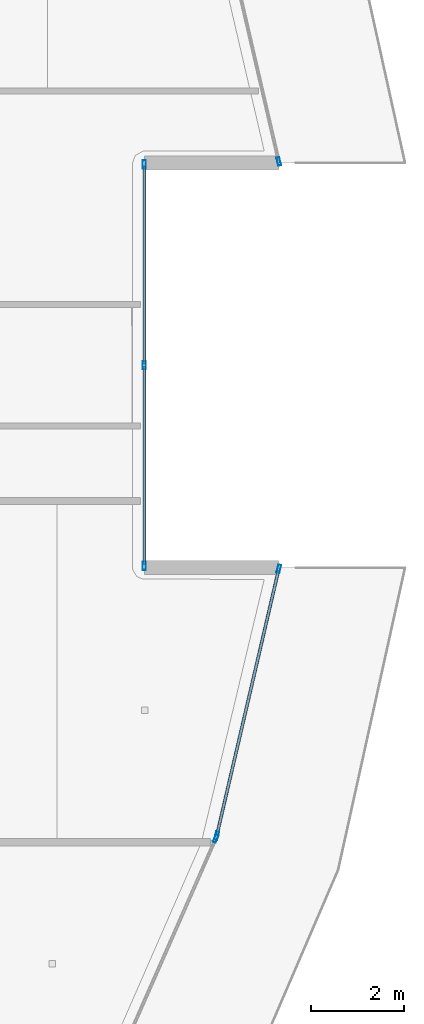
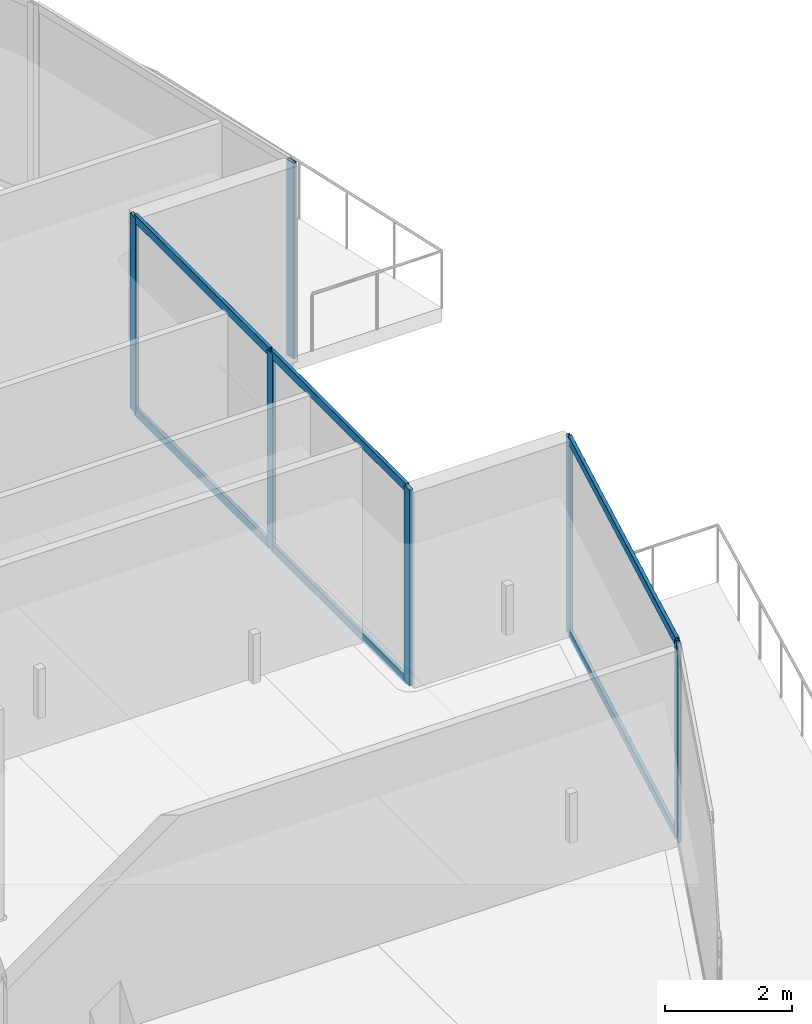
# One storey, part 12 of 33: 13 members, 4 elements without a shape of their own.
"""IFC4 building model written with IfcOpenShell, lengths in metres."""

from ifc_helpers import new_model, si_unit, direction, frame, origin, origin_2d, place, context, subcontext, project, spatial, hollow_rectangle, extrude, material, layer, layer_set, material_profile, profile_set, type_object, element, aggregate, save


model = new_model("IFC4")

# Units and contexts
model_context = context("Model", 3, precision=1e-05, world=origin(), true_north=direction((0.0, 1.0)))
body_context = subcontext(model_context, "Body", "Model", "MODEL_VIEW")
ifc_project = project(units=[si_unit("LENGTHUNIT", "METRE"), si_unit("AREAUNIT", "SQUARE_METRE"), si_unit("VOLUMEUNIT", "CUBIC_METRE"), si_unit("PLANEANGLEUNIT", "RADIAN"), si_unit("MASSUNIT", "GRAM", prefix="KILO")], contexts=[model_context])

# Site, building, storey
site_placement = place(None, origin())
site = spatial("IfcSite", under=ifc_project, at=site_placement, CompositionType="ELEMENT")
building_placement = place(site_placement, origin())
building = spatial("IfcBuilding", under=site, at=building_placement, Name="Qorvath Tower", CompositionType="ELEMENT")
storey_placement = place(building_placement, frame((0.0, 0.0, 209.10009765625)))
storey = spatial("IfcBuildingStorey", under=building, at=storey_placement, Name="L48", CompositionType="ELEMENT", Elevation=209.10009765625)

# Curtain wall, member
ifc_material_1 = material(Name="Anodised aluminium and triple low-E glass", Category="aluminium")
ifc_layer = layer(ifc_material_1, 0.179931640625)
ifc_layer_set = layer_set([ifc_layer], Name="CW-SYS-3")
curtain_wall_type = type_object("IfcCurtainWallType", Name="CW-SYS-3", PredefinedType="NOTDEFINED", material=ifc_layer_set)
curtain_wall_1_placement = place(storey_placement, origin())
curtain_wall_1 = element("IfcCurtainWall", 1, at=curtain_wall_1_placement, inside=storey, type_object=curtain_wall_type, Name="Curtain Wall CW-3 CW-T-L48-6.1", PredefinedType="NOTDEFINED")
ifc_material_2 = material(Name="Anodised aluminium 6063-T6", Category="aluminium")
ifc_material_profile_1 = material_profile(ifc_material_2, hollow_rectangle(XDim=0.06494140625, YDim=0.179931640625, WallThickness=0.00341796875, InnerFilletRadius=0.00341796875, OuterFilletRadius=0.007080078125, at=origin_2d()), Name="CWM 180x65")
ifc_profile_set_1 = profile_set([ifc_material_profile_1], Name="Anodised aluminium 6063-T6")
member_type_1 = type_object("IfcMemberType", Name="CWM-180", PredefinedType="MULLION", material=ifc_profile_set_1)
member_1_placement = place(storey_placement, frame((-0.771484375, -10.19921875, 0.0), z_axis=(0.0, 0.0, 1.0), x_axis=(-0.91538099818, 0.40258865877, 0.0)))
member_1 = element("IfcMember", 2, at=member_1_placement, type_object=member_type_1, Name="CW-3 mullion 2", PredefinedType="MULLION", context=body_context, shape_type="SweptSolid", body=[
    extrude(hollow_rectangle(XDim=0.06494140625, YDim=0.179931640625, WallThickness=0.00341796875, InnerFilletRadius=0.00341796875, OuterFilletRadius=0.007080078125, at=origin_2d()), origin(), (0.0, 0.0, 1.0), 3.77978515625),
])
aggregate(curtain_wall_1, [member_1])

# Curtain wall, members
curtain_wall_2_placement = place(storey_placement, origin())
curtain_wall_2 = element("IfcCurtainWall", 3, at=curtain_wall_2_placement, inside=storey, type_object=curtain_wall_type, Name="Curtain Wall CW-3 CW-T-L48-7.1", PredefinedType="NOTDEFINED")
member_2_placement = place(storey_placement, frame((-0.7509765625, -10.1376953125, 0.0), z_axis=(0.0, 0.0, 1.0), x_axis=(-0.973971468764, 0.226670637786, 0.0)))
member_2 = element("IfcMember", 4, at=member_2_placement, type_object=member_type_1, Name="CW-3 mullion 1", PredefinedType="MULLION", context=body_context, shape_type="SweptSolid", body=[
    extrude(hollow_rectangle(XDim=0.06494140625, YDim=0.179931640625, WallThickness=0.00341796875, InnerFilletRadius=0.00341796875, OuterFilletRadius=0.007080078125, at=origin_2d()), origin(), (0.0, 0.0, 1.0), 3.77978515625),
])
member_3_placement = place(storey_placement, frame((0.5869140625, -4.3896484375, 0.0), z_axis=(0.0, 0.0, 1.0), x_axis=(-0.973971468764, 0.226670637786, 0.0)))
member_3 = element("IfcMember", 5, at=member_3_placement, type_object=member_type_1, Name="CW-3 mullion 2", PredefinedType="MULLION", context=body_context, shape_type="SweptSolid", body=[
    extrude(hollow_rectangle(XDim=0.06494140625, YDim=0.179931640625, WallThickness=0.00341796875, InnerFilletRadius=0.00341796875, OuterFilletRadius=0.007080078125, at=origin_2d()), origin(), (0.0, 0.0, 1.0), 3.77978515625),
])

curtain_wall_3_placement = place(storey_placement, origin())
curtain_wall_3 = element("IfcCurtainWall", 6, at=curtain_wall_3_placement, inside=storey, type_object=curtain_wall_type, Name="Curtain Wall CW-3 CW-T-L48-9.1", PredefinedType="NOTDEFINED")
member_4_placement = place(storey_placement, frame((-2.310791015625, -4.325439453125, 0.0), z_axis=(0.0, 0.0, 1.0), x_axis=(-1.0, 0.0, 0.0)))
member_4 = element("IfcMember", 7, at=member_4_placement, type_object=member_type_1, Name="CW-3 mullion 1", PredefinedType="MULLION", context=body_context, shape_type="SweptSolid", body=[
    extrude(hollow_rectangle(XDim=0.06494140625, YDim=0.179931640625, WallThickness=0.00341796875, InnerFilletRadius=0.00341796875, OuterFilletRadius=0.007080078125, at=origin_2d()), origin(), (0.0, 0.0, 1.0), 3.77978515625),
])
member_5_placement = place(storey_placement, frame((-2.310791015625, 0.0, 0.0), z_axis=(0.0, 0.0, 1.0), x_axis=(-1.0, 0.0, 0.0)))
member_5 = element("IfcMember", 8, at=member_5_placement, type_object=member_type_1, Name="CW-3 mullion 2", PredefinedType="MULLION", context=body_context, shape_type="SweptSolid", body=[
    extrude(hollow_rectangle(XDim=0.06494140625, YDim=0.179931640625, WallThickness=0.00341796875, InnerFilletRadius=0.00341796875, OuterFilletRadius=0.007080078125, at=origin_2d()), origin(), (0.0, 0.0, 1.0), 3.77978515625),
])
member_6_placement = place(storey_placement, frame((-2.310791015625, 4.325439453125, 0.0), z_axis=(0.0, 0.0, 1.0), x_axis=(-1.0, 0.0, 0.0)))
member_6 = element("IfcMember", 9, at=member_6_placement, type_object=member_type_1, Name="CW-3 mullion 3", PredefinedType="MULLION", context=body_context, shape_type="SweptSolid", body=[
    extrude(hollow_rectangle(XDim=0.06494140625, YDim=0.179931640625, WallThickness=0.00341796875, InnerFilletRadius=0.00341796875, OuterFilletRadius=0.007080078125, at=origin_2d()), origin(), (0.0, 0.0, 1.0), 3.77978515625),
])

# Curtain wall, member
curtain_wall_4_placement = place(storey_placement, origin())
curtain_wall_4 = element("IfcCurtainWall", 10, at=curtain_wall_4_placement, inside=storey, type_object=curtain_wall_type, Name="Curtain Wall CW-3 CW-T-L48-11.1", PredefinedType="NOTDEFINED")
member_7_placement = place(storey_placement, frame((0.5869140625, 4.3896484375, 0.0), z_axis=(0.0, 0.0, 1.0), x_axis=(-0.973971468764, -0.226670637786, 0.0)))
member_7 = element("IfcMember", 11, at=member_7_placement, type_object=member_type_1, Name="CW-3 mullion 1", PredefinedType="MULLION", context=body_context, shape_type="SweptSolid", body=[
    extrude(hollow_rectangle(XDim=0.06494140625, YDim=0.179931640625, WallThickness=0.00341796875, InnerFilletRadius=0.00341796875, OuterFilletRadius=0.007080078125, at=origin_2d()), origin(), (0.0, 0.0, 1.0), 3.77978515625),
])
aggregate(curtain_wall_4, [member_7])

# Member
ifc_material_3 = material(Name="Anodised aluminium 6063-T6", Category="aluminium")
ifc_material_profile_2 = material_profile(ifc_material_3, hollow_rectangle(XDim=0.06494140625, YDim=0.159912109375, WallThickness=0.00341796875, InnerFilletRadius=0.00341796875, OuterFilletRadius=0.007080078125, at=origin_2d()), Name="CWT 160x65")
ifc_profile_set_2 = profile_set([ifc_material_profile_2], Name="Anodised aluminium 6063-T6")
member_type_2 = type_object("IfcMemberType", Name="CWT-160", PredefinedType="USERDEFINED", material=ifc_profile_set_2)
member_8_placement = place(storey_placement, frame((-0.74365234375, -10.106201171875, 0.032470703125), z_axis=(0.226658372303, 0.973974323206, 0.0), x_axis=(-0.973974323206, 0.226658372303, 0.0)))
member_8 = element("IfcMember", 12, at=member_8_placement, type_object=member_type_2, Name="CW-3 transom 1.1", ObjectType="TRANSOM", PredefinedType="USERDEFINED", context=body_context, shape_type="SweptSolid", body=[
    extrude(hollow_rectangle(XDim=0.06494140625, YDim=0.159912109375, WallThickness=0.00341796875, InnerFilletRadius=0.00341796875, OuterFilletRadius=0.007080078125, at=origin_2d()), origin(), (0.0, 0.0, 1.0), 5.8369140625),
])

member_9_placement = place(storey_placement, frame((-0.74365234375, -10.106201171875, 3.747314453125), z_axis=(0.226658372303, 0.973974323206, 0.0), x_axis=(-0.973974323206, 0.226658372303, 0.0)))
member_9 = element("IfcMember", 13, at=member_9_placement, type_object=member_type_2, Name="CW-3 transom 1.2", ObjectType="TRANSOM", PredefinedType="USERDEFINED", context=body_context, shape_type="SweptSolid", body=[
    extrude(hollow_rectangle(XDim=0.06494140625, YDim=0.159912109375, WallThickness=0.00341796875, InnerFilletRadius=0.00341796875, OuterFilletRadius=0.007080078125, at=origin_2d()), origin(), (0.0, 0.0, 1.0), 5.8369140625),
])

aggregate(curtain_wall_2, [member_2, member_3, member_8, member_9])

member_10_placement = place(storey_placement, frame((-2.310791015625, -4.29296875, 0.032470703125), z_axis=(0.0, 1.0, 0.0), x_axis=(-1.0, 0.0, 0.0)))
member_10 = element("IfcMember", 14, at=member_10_placement, type_object=member_type_2, Name="CW-3 transom 1.1", ObjectType="TRANSOM", PredefinedType="USERDEFINED", context=body_context, shape_type="SweptSolid", body=[
    extrude(hollow_rectangle(XDim=0.06494140625, YDim=0.159912109375, WallThickness=0.00341796875, InnerFilletRadius=0.00341796875, OuterFilletRadius=0.007080078125, at=origin_2d()), origin(), (0.0, 0.0, 1.0), 4.260498046875),
])

member_11_placement = place(storey_placement, frame((-2.310791015625, -4.29296875, 3.747314453125), z_axis=(0.0, 1.0, 0.0), x_axis=(-1.0, 0.0, 0.0)))
member_11 = element("IfcMember", 15, at=member_11_placement, type_object=member_type_2, Name="CW-3 transom 1.2", ObjectType="TRANSOM", PredefinedType="USERDEFINED", context=body_context, shape_type="SweptSolid", body=[
    extrude(hollow_rectangle(XDim=0.06494140625, YDim=0.159912109375, WallThickness=0.00341796875, InnerFilletRadius=0.00341796875, OuterFilletRadius=0.007080078125, at=origin_2d()), origin(), (0.0, 0.0, 1.0), 4.260498046875),
])

member_12_placement = place(storey_placement, frame((-2.310791015625, 0.032470703125, 0.032470703125), z_axis=(0.0, 1.0, 0.0), x_axis=(-1.0, 0.0, 0.0)))
member_12 = element("IfcMember", 16, at=member_12_placement, type_object=member_type_2, Name="CW-3 transom 2.1", ObjectType="TRANSOM", PredefinedType="USERDEFINED", context=body_context, shape_type="SweptSolid", body=[
    extrude(hollow_rectangle(XDim=0.06494140625, YDim=0.159912109375, WallThickness=0.00341796875, InnerFilletRadius=0.00341796875, OuterFilletRadius=0.007080078125, at=origin_2d()), origin(), (0.0, 0.0, 1.0), 4.260498046875),
])

member_13_placement = place(storey_placement, frame((-2.310791015625, 0.032470703125, 3.747314453125), z_axis=(0.0, 1.0, 0.0), x_axis=(-1.0, 0.0, 0.0)))
member_13 = element("IfcMember", 17, at=member_13_placement, type_object=member_type_2, Name="CW-3 transom 2.2", ObjectType="TRANSOM", PredefinedType="USERDEFINED", context=body_context, shape_type="SweptSolid", body=[
    extrude(hollow_rectangle(XDim=0.06494140625, YDim=0.159912109375, WallThickness=0.00341796875, InnerFilletRadius=0.00341796875, OuterFilletRadius=0.007080078125, at=origin_2d()), origin(), (0.0, 0.0, 1.0), 4.260498046875),
])

aggregate(curtain_wall_3, [member_4, member_5, member_6, member_10, member_11, member_12, member_13])

save(model, "model.ifc")
